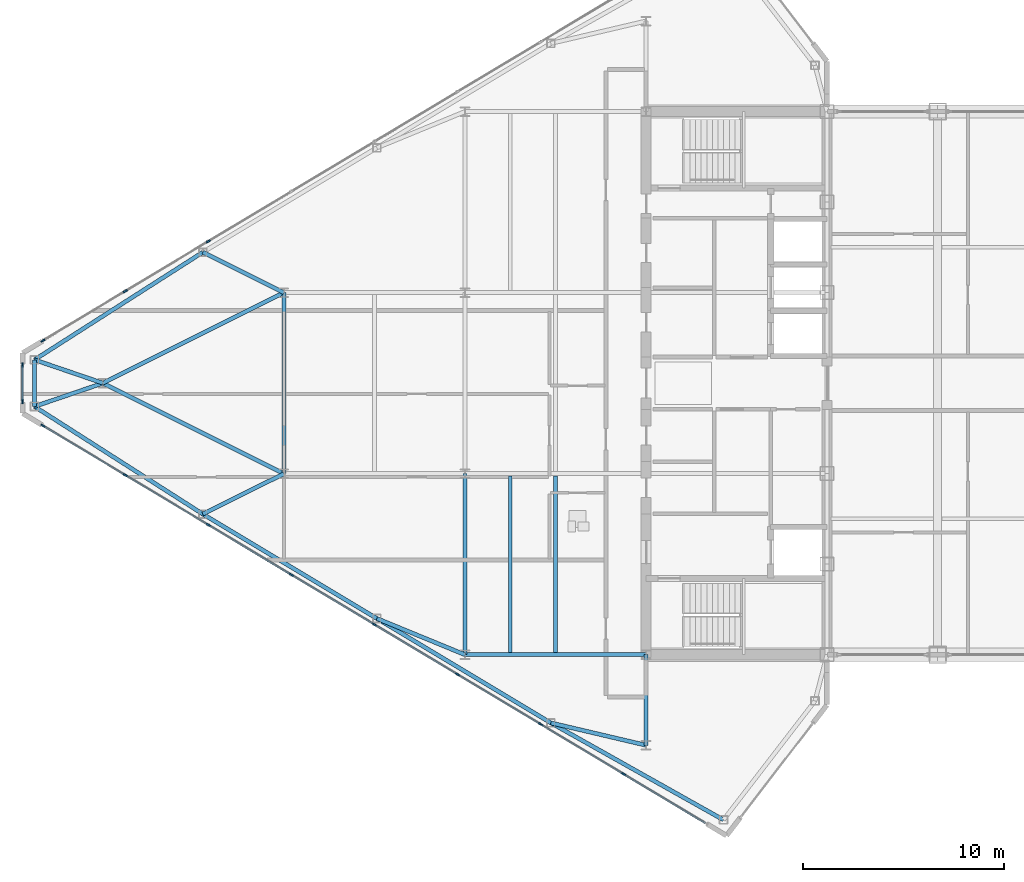
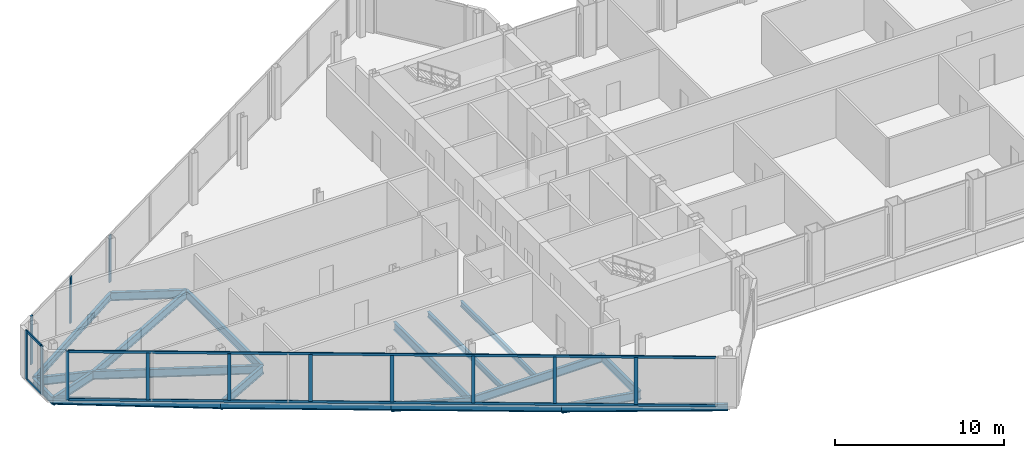
# One storey, part 8 of 29: 20 beams, 17 members, 3 elements without a shape of their own.
"""IFC4 building model written with IfcOpenShell, lengths in metres."""

from ifc_helpers import new_model, si_unit, direction, frame, origin, origin_2d, place, context, subcontext, project, spatial, rectangle, i_section, extrude, source, transform, mapped, material, layer, layer_set, material_profile, profile_set, type_object, type_shapes, element, aggregate, save


model = new_model("IFC4")

# Units and contexts
model_context = context("Model", 3, precision=1e-05, world=origin(), true_north=direction((0.0, 1.0)))
body_context = subcontext(model_context, "Body", "Model", "MODEL_VIEW")
ifc_project = project(units=[si_unit("LENGTHUNIT", "METRE"), si_unit("AREAUNIT", "SQUARE_METRE"), si_unit("VOLUMEUNIT", "CUBIC_METRE"), si_unit("PLANEANGLEUNIT", "RADIAN"), si_unit("MASSUNIT", "GRAM", prefix="KILO")], contexts=[model_context])

# Site, building, storey
site_placement = place(None, origin())
site = spatial("IfcSite", under=ifc_project, at=site_placement, CompositionType="ELEMENT")
building_placement = place(site_placement, origin())
building = spatial("IfcBuilding", under=site, at=building_placement, Name="Seokmaru Belvedere", CompositionType="ELEMENT")
storey_placement = place(building_placement, frame((0.0, 0.0, 239.39990234375)))
storey = spatial("IfcBuildingStorey", under=building, at=storey_placement, Name="L63", CompositionType="ELEMENT", Elevation=239.39990234375)

# Beams
ifc_material_1 = material(Name="Steel SM355 (355 MPa)", Category="steel")
ifc_material_profile_1 = material_profile(ifc_material_1, i_section(OverallWidth=0.199951171875, OverallDepth=0.60009765625, WebThickness=0.010986328125, FlangeThickness=0.01708984375, at=origin_2d()), Name="H-600x200x11x17")
ifc_profile_set_1 = profile_set([ifc_material_profile_1], Name="Steel SM355 (355 MPa)")
beam_type_1 = type_object("IfcBeamType", Name="Primary Floor Girder H-600", PredefinedType="BEAM", material=ifc_profile_set_1)
shared_shape_1 = source(origin(), body_context, "Body", "SweptSolid", [
    extrude(i_section(OverallWidth=0.199951171875, OverallDepth=0.60009765625, WebThickness=0.010986328125, FlangeThickness=0.01708984375, at=origin_2d()), origin(), (0.0, 0.0, 1.0), 9.0),
])
for number, where, z_axis, x_axis, name in (
    (1, (-45.5, -13.5, -0.52001953125), (0.0, 1.0, 0.0), (-1.0, 0.0, 0.0), "L63 W Interior Grid Girder 1"),
    (2, (-45.5, -13.5, -0.52001953125), (1.0, 0.0, 0.0), (0.0, 1.0, 0.0), "L63 W Wing Primary Girder 1"),
    (3, (-54.5, -4.5, -0.52001953125), (0.0, 1.0, 0.0), (-1.0, 0.0, 0.0), "L63 W Apex Frame Girder"),
):
    element("IfcBeam", number, at=place(storey_placement, frame(where, z_axis=z_axis, x_axis=x_axis)), inside=storey, type_object=beam_type_1, Name=name, PredefinedType="BEAM", context=body_context, shape_type="MappedRepresentation", body=[
        mapped(shared_shape_1, transform((0.0, 0.0, 0.0), scale=1.0)),
    ])
shared_shape_2 = source(origin(), body_context, "Body", "SweptSolid", [
    extrude(i_section(OverallWidth=0.199951171875, OverallDepth=0.60009765625, WebThickness=0.010986328125, FlangeThickness=0.01708984375, at=origin_2d()), origin(), (0.0, 0.0, 1.0), 10.062255859375),
])
for number, where, z_axis, x_axis, name in (
    (4, (-54.5, -4.5, -0.52001953125), (-0.894427191, 0.4472135955, 0.0), (-0.4472135955, -0.894427191, 0.0), "L63 W Apex Converging Girder 1"),
    (5, (-54.5, 4.5, -0.52001953125), (-0.894427191, -0.4472135955, 0.0), (0.4472135955, -0.894427191, 0.0), "L63 W Apex Converging Girder 2"),
):
    element("IfcBeam", number, at=place(storey_placement, frame(where, z_axis=z_axis, x_axis=x_axis)), inside=storey, type_object=beam_type_1, Name=name, PredefinedType="BEAM", context=body_context, shape_type="MappedRepresentation", body=[
        mapped(shared_shape_2, transform((0.0, 0.0, 0.0), scale=1.0)),
    ])
ifc_material_profile_2 = material_profile(ifc_material_1, i_section(OverallWidth=0.18505859375, OverallDepth=0.389892578125, WebThickness=0.008056640625, FlangeThickness=0.011962890625, at=origin_2d()), Name="H-390x185x8x12")
ifc_profile_set_2 = profile_set([ifc_material_profile_2], Name="Steel SM355 (355 MPa)")
beam_type_2 = type_object("IfcBeamType", Name="Secondary Floor Joist H-350", PredefinedType="JOIST", material=ifc_profile_set_2)
shared_shape_3 = source(origin(), body_context, "Body", "SweptSolid", [
    extrude(i_section(OverallWidth=0.18505859375, OverallDepth=0.389892578125, WebThickness=0.008056640625, FlangeThickness=0.011962890625, at=origin_2d()), origin(), (0.0, 0.0, 1.0), 8.7900390625),
])
type_shapes(beam_type_2, [shared_shape_3])
for number, where, z_axis, x_axis, name in (
    (6, (-43.25, -13.39501953125, -0.414794921875), (0.0, 1.0, 0.0), (-1.0, 0.0, 0.0), "L63 W Wing Inner Secondary Joist 1"),
    (7, (-41.0, -13.39501953125, -0.414794921875), (0.0, 1.0, 0.0), (-1.0, 0.0, 0.0), "L63 W Secondary Floor Joist 1"),
):
    element("IfcBeam", number, at=place(storey_placement, frame(where, z_axis=z_axis, x_axis=x_axis)), inside=storey, type_object=beam_type_2, Name=name, PredefinedType="JOIST", context=body_context, shape_type="MappedRepresentation", body=[
        mapped(shared_shape_3, transform((0.0, 0.0, 0.0), scale=1.0)),
    ])
shared_shape_4 = source(origin(), body_context, "Body", "SweptSolid", [
    extrude(i_section(OverallWidth=0.199951171875, OverallDepth=0.60009765625, WebThickness=0.010986328125, FlangeThickness=0.01708984375, at=origin_2d()), origin(), (0.0, 0.0, 1.0), 4.5),
])
beam_1_placement = place(storey_placement, frame((-36.5, -18.0, -0.52001953125), z_axis=(0.0, 1.0, 0.0), x_axis=(-1.0, 0.0, 0.0)))
element("IfcBeam", 8, at=beam_1_placement, inside=storey, type_object=beam_type_1, Name="L63 W Core Shoulder Girder S", PredefinedType="BEAM", context=body_context, shape_type="MappedRepresentation", body=[
    mapped(shared_shape_4, transform((0.0, 0.0, 0.0), scale=1.0)),
])
ifc_material_profile_3 = material_profile(ifc_material_1, i_section(OverallWidth=0.199951171875, OverallDepth=0.5, WebThickness=0.010009765625, FlangeThickness=0.01611328125, at=origin_2d()), Name="H-500x200x10x16")
ifc_profile_set_3 = profile_set([ifc_material_profile_3], Name="Steel SM355 (355 MPa)")
beam_type_3 = type_object("IfcBeamType", Name="Perimeter Spandrel Beam H-500", PredefinedType="SPANDREL", material=ifc_profile_set_3)
shared_shape_5 = source(origin(), body_context, "Body", "SweptSolid", [
    extrude(i_section(OverallWidth=0.199951171875, OverallDepth=0.5, WebThickness=0.010009765625, FlangeThickness=0.01611328125, at=origin_2d()), origin(), (0.0, 0.0, 1.0), 9.842041015625),
])
beam_2_placement = place(storey_placement, frame((-32.649658203125, -21.71044921875, -0.469970703125), z_axis=(-0.871782151818, 0.489893743349, 0.0), x_axis=(-0.489893743349, -0.871782151818, 0.0)))
element("IfcBeam", 9, at=beam_2_placement, inside=storey, type_object=beam_type_3, Name="L63 W Faceted Flank Spandrel S-1", PredefinedType="SPANDREL", context=body_context, shape_type="MappedRepresentation", body=[
    mapped(shared_shape_5, transform((0.0, 0.0, 0.0), scale=1.0)),
])
shared_shape_6 = source(origin(), body_context, "Body", "SweptSolid", [
    extrude(i_section(OverallWidth=0.199951171875, OverallDepth=0.5, WebThickness=0.010009765625, FlangeThickness=0.01611328125, at=origin_2d()), origin(), (0.0, 0.0, 1.0), 10.087646484375),
])
for number, where, z_axis, x_axis, name in (
    (10, (-41.229736328125, -16.888916015625, -0.469970703125), (-0.857499332045, 0.514485078056, 0.0), (-0.514485078056, -0.857499332045, 0.0), "L63 W Faceted Flank Spandrel S-2"),
    (11, (-49.8798828125, -11.698974609375, -0.469970703125), (-0.857488654804, 0.514502873542, 0.0), (-0.514502873542, -0.857488654804, 0.0), "L63 W Faceted Flank Spandrel S-3"),
):
    element("IfcBeam", number, at=place(storey_placement, frame(where, z_axis=z_axis, x_axis=x_axis)), inside=storey, type_object=beam_type_3, Name=name, PredefinedType="SPANDREL", context=body_context, shape_type="MappedRepresentation", body=[
        mapped(shared_shape_6, transform((0.0, 0.0, 0.0), scale=1.0)),
    ])
shared_shape_7 = source(origin(), body_context, "Body", "SweptSolid", [
    extrude(i_section(OverallWidth=0.199951171875, OverallDepth=0.5, WebThickness=0.010009765625, FlangeThickness=0.01611328125, at=origin_2d()), origin(), (0.0, 0.0, 1.0), 9.932861328125),
])
for number, where, z_axis, x_axis, name in (
    (12, (-58.530029296875, -6.5087890625, -0.469970703125), (-0.842651960357, 0.538458609093, 0.0), (-0.538458609093, -0.842651960357, 0.0), "L63 W Faceted Flank Spandrel S-4"),
    (13, (-58.530029296875, 6.5087890625, -0.469970703125), (-0.842651960357, -0.538458609093, 0.0), (0.538458609093, -0.842651960357, 0.0), "L63 W Faceted Flank Spandrel N-4"),
):
    element("IfcBeam", number, at=place(storey_placement, frame(where, z_axis=z_axis, x_axis=x_axis)), inside=storey, type_object=beam_type_3, Name=name, PredefinedType="SPANDREL", context=body_context, shape_type="MappedRepresentation", body=[
        mapped(shared_shape_7, transform((0.0, 0.0, 0.0), scale=1.0)),
    ])
shared_shape_8 = source(origin(), body_context, "Body", "SweptSolid", [
    extrude(i_section(OverallWidth=0.199951171875, OverallDepth=0.5, WebThickness=0.010009765625, FlangeThickness=0.01611328125, at=origin_2d()), origin(), (0.0, 0.0, 1.0), 2.32080078125),
])
type_shapes(beam_type_3, [shared_shape_5, shared_shape_6, shared_shape_7, shared_shape_8])
beam_3_placement = place(storey_placement, frame((-66.89990234375, -1.160400390625, -0.469970703125), z_axis=(0.0, 1.0, 0.0), x_axis=(-1.0, 0.0, 0.0)))
element("IfcBeam", 14, at=beam_3_placement, inside=storey, type_object=beam_type_3, Name="L63 W Faceted Apex Spandrel", PredefinedType="SPANDREL", context=body_context, shape_type="MappedRepresentation", body=[
    mapped(shared_shape_8, transform((0.0, 0.0, 0.0), scale=1.0)),
])
shared_shape_9 = source(origin(), body_context, "Body", "SweptSolid", [
    extrude(i_section(OverallWidth=0.199951171875, OverallDepth=0.60009765625, WebThickness=0.010986328125, FlangeThickness=0.01708984375, at=origin_2d()), origin(), (0.0, 0.0, 1.0), 4.8583984375),
])
beam_4_placement = place(storey_placement, frame((-41.229736328125, -16.888916015625, -0.52001953125), z_axis=(0.97349948295, -0.228689214211, 0.0), x_axis=(0.228689214211, 0.97349948295, 0.0)))
element("IfcBeam", 15, at=beam_4_placement, inside=storey, type_object=beam_type_1, Name="L63 W Flank Radial Floor Girder S-1", PredefinedType="BEAM", context=body_context, shape_type="MappedRepresentation", body=[
    mapped(shared_shape_9, transform((0.0, 0.0, 0.0), scale=1.0)),
])
shared_shape_10 = source(origin(), body_context, "Body", "SweptSolid", [
    extrude(i_section(OverallWidth=0.199951171875, OverallDepth=0.60009765625, WebThickness=0.010986328125, FlangeThickness=0.01708984375, at=origin_2d()), origin(), (0.0, 0.0, 1.0), 4.73583984375),
])
beam_5_placement = place(storey_placement, frame((-49.8798828125, -11.698974609375, -0.52001953125), z_axis=(0.924860562953, -0.380306375301, 0.0), x_axis=(0.380306375301, 0.924860562953, 0.0)))
element("IfcBeam", 16, at=beam_5_placement, inside=storey, type_object=beam_type_1, Name="L63 W Flank Radial Floor Girder S-2", PredefinedType="BEAM", context=body_context, shape_type="MappedRepresentation", body=[
    mapped(shared_shape_10, transform((0.0, 0.0, 0.0), scale=1.0)),
])
shared_shape_11 = source(origin(), body_context, "Body", "SweptSolid", [
    extrude(i_section(OverallWidth=0.199951171875, OverallDepth=0.60009765625, WebThickness=0.010986328125, FlangeThickness=0.01708984375, at=origin_2d()), origin(), (0.0, 0.0, 1.0), 4.5029296875),
])
for number, where, z_axis, x_axis, name in (
    (17, (-58.530029296875, -6.5087890625, -0.52001953125), (0.894979532585, 0.446107202648, 0.0), (-0.446107202648, 0.894979532585, 0.0), "L63 W Flank Radial Floor Girder S-3"),
    (18, (-58.530029296875, 6.5087890625, -0.52001953125), (0.894979532585, -0.446107202648, 0.0), (0.446107202648, 0.894979532585, 0.0), "L63 W Flank Radial Floor Girder N-3"),
):
    element("IfcBeam", number, at=place(storey_placement, frame(where, z_axis=z_axis, x_axis=x_axis)), inside=storey, type_object=beam_type_1, Name=name, PredefinedType="BEAM", context=body_context, shape_type="MappedRepresentation", body=[
        mapped(shared_shape_11, transform((0.0, 0.0, 0.0), scale=1.0)),
    ])
shared_shape_12 = source(origin(), body_context, "Body", "SweptSolid", [
    extrude(i_section(OverallWidth=0.199951171875, OverallDepth=0.60009765625, WebThickness=0.010986328125, FlangeThickness=0.01708984375, at=origin_2d()), origin(), (0.0, 0.0, 1.0), 3.592529296875),
])
type_shapes(beam_type_1, [shared_shape_1, shared_shape_2, shared_shape_4, shared_shape_9, shared_shape_10, shared_shape_11, shared_shape_12])
for number, where, z_axis, x_axis, name in (
    (19, (-66.89990234375, -1.160400390625, -0.52001953125), (0.946395973048, 0.323008764893, 0.0), (-0.323008764893, 0.946395973048, 0.0), "L63 W Apex Radial Floor Girder 1"),
    (20, (-66.89990234375, 1.160400390625, -0.52001953125), (0.946395973048, -0.323008764893, 0.0), (0.323008764893, 0.946395973048, 0.0), "L63 W Apex Radial Floor Girder 2"),
):
    element("IfcBeam", number, at=place(storey_placement, frame(where, z_axis=z_axis, x_axis=x_axis)), inside=storey, type_object=beam_type_1, Name=name, PredefinedType="BEAM", context=body_context, shape_type="MappedRepresentation", body=[
        mapped(shared_shape_12, transform((0.0, 0.0, 0.0), scale=1.0)),
    ])

# Curtain wall, members
ifc_material_2 = material(Name="Bronze Triple Insulating Glass", Category="glass")
ifc_layer = layer(ifc_material_2, 0.219970703125)
ifc_layer_set = layer_set([ifc_layer], Name="Bronze Triple Insulating Glass")
curtain_wall_type = type_object("IfcCurtainWallType", Name="Sky-Gate Bridge Panorama Curtain Wall System CW-6", PredefinedType="NOTDEFINED", material=ifc_layer_set)
curtain_wall_1_placement = place(storey_placement, origin())
curtain_wall_1 = element("IfcCurtainWall", 21, at=curtain_wall_1_placement, inside=storey, type_object=curtain_wall_type, Name="L63 Curtain Wall WF5", PredefinedType="NOTDEFINED")
ifc_material_3 = material(Name="Anodised Bronze Aluminium", Category="aluminium")
ifc_material_profile_4 = material_profile(ifc_material_3, rectangle(XDim=0.074951171875, YDim=0.179931640625, at=origin_2d()), Name="CW-T-75x180")
ifc_profile_set_4 = profile_set([ifc_material_profile_4], Name="Anodised Bronze Aluminium")
member_type_1 = type_object("IfcMemberType", Name="Bronze Unitised Transom 75x180", PredefinedType="USERDEFINED", material=ifc_profile_set_4)
shared_shape_13 = source(origin(), body_context, "Body", "SweptSolid", [
    extrude(rectangle(XDim=0.074951171875, YDim=0.179931640625, at=origin_2d()), origin(), (0.0, 0.0, 1.0), 38.356689453125),
])
member_1_placement = place(storey_placement, frame((-66.4453125, -2.1328125, 0.03759765625), z_axis=(0.857492925713, -0.514495755428, 0.0), x_axis=(0.514495755428, 0.857492925713, 0.0)))
member_1 = element("IfcMember", 22, at=member_1_placement, type_object=member_type_1, Name="CW:L63:WF5 Continuous Transom 1", ObjectType="TRANSOM", PredefinedType="USERDEFINED", context=body_context, shape_type="MappedRepresentation", body=[
    mapped(shared_shape_13, transform((0.0, 0.0, 0.0), scale=1.0)),
])
member_2_placement = place(storey_placement, frame((-66.4453125, -2.1328125, 3.49267578125), z_axis=(0.857492925713, -0.514495755428, 0.0), x_axis=(0.514495755428, 0.857492925713, 0.0)))
member_2 = element("IfcMember", 23, at=member_2_placement, type_object=member_type_1, Name="CW:L63:WF5 Continuous Transom 2", ObjectType="TRANSOM", PredefinedType="USERDEFINED", context=body_context, shape_type="MappedRepresentation", body=[
    mapped(shared_shape_13, transform((0.0, 0.0, 0.0), scale=1.0)),
])

curtain_wall_2_placement = place(storey_placement, origin())
curtain_wall_2 = element("IfcCurtainWall", 24, at=curtain_wall_2_placement, inside=storey, type_object=curtain_wall_type, Name="L63 Curtain Wall WF4", PredefinedType="NOTDEFINED")
shared_shape_14 = source(origin(), body_context, "Body", "SweptSolid", [
    extrude(rectangle(XDim=0.074951171875, YDim=0.179931640625, at=origin_2d()), origin(), (0.0, 0.0, 1.0), 1.740234375),
])
type_shapes(member_type_1, [shared_shape_13, shared_shape_14])
member_3_placement = place(storey_placement, frame((-67.5, 0.8701171875, 0.03759765625), z_axis=(0.0, -1.0, 0.0), x_axis=(1.0, 0.0, 0.0)))
member_3 = element("IfcMember", 25, at=member_3_placement, type_object=member_type_1, Name="CW:L63:WF4 Continuous Transom 1", ObjectType="TRANSOM", PredefinedType="USERDEFINED", context=body_context, shape_type="MappedRepresentation", body=[
    mapped(shared_shape_14, transform((0.0, 0.0, 0.0), scale=1.0)),
])
member_4_placement = place(storey_placement, frame((-67.5, 0.8701171875, 3.49267578125), z_axis=(0.0, -1.0, 0.0), x_axis=(1.0, 0.0, 0.0)))
member_4 = element("IfcMember", 26, at=member_4_placement, type_object=member_type_1, Name="CW:L63:WF4 Continuous Transom 2", ObjectType="TRANSOM", PredefinedType="USERDEFINED", context=body_context, shape_type="MappedRepresentation", body=[
    mapped(shared_shape_14, transform((0.0, 0.0, 0.0), scale=1.0)),
])

# Curtain wall, member
curtain_wall_3_placement = place(storey_placement, origin())
curtain_wall_3 = element("IfcCurtainWall", 27, at=curtain_wall_3_placement, inside=storey, type_object=curtain_wall_type, Name="L63 Curtain Wall WF3", PredefinedType="NOTDEFINED")
ifc_material_profile_5 = material_profile(ifc_material_3, rectangle(XDim=0.080078125, YDim=0.219970703125, at=origin_2d()), Name="CW-M-80x220")
ifc_profile_set_5 = profile_set([ifc_material_profile_5], Name="Anodised Bronze Aluminium")
member_type_2 = type_object("IfcMemberType", Name="Bronze Unitised Mullion 80x220", PredefinedType="MULLION", material=ifc_profile_set_5)
shared_shape_15 = source(origin(), body_context, "Body", "SweptSolid", [
    extrude(rectangle(XDim=0.080078125, YDim=0.219970703125, at=origin_2d()), origin(), (0.0, 0.0, 1.0), 3.530029296875),
])
member_5_placement = place(storey_placement, frame((-66.4794921875, 2.1123046875, 0.0), z_axis=(0.0, 0.0, 1.0), x_axis=(0.514494909364, -0.85749343335, 0.0)))
member_5 = element("IfcMember", 28, at=member_5_placement, type_object=member_type_2, Name="CW:L63:WF3 Mullion 9", PredefinedType="MULLION", context=body_context, shape_type="MappedRepresentation", body=[
    mapped(shared_shape_15, transform((0.0, 0.0, 0.0), scale=1.0)),
])

# Member
member_6_placement = place(storey_placement, frame((-67.5, 0.909912109375, 0.0), z_axis=(0.0, 0.0, 1.0), x_axis=(1.0, 0.0, 0.0)))
member_6 = element("IfcMember", 29, at=member_6_placement, type_object=member_type_2, Name="CW:L63:WF4 Mullion 1", PredefinedType="MULLION", context=body_context, shape_type="MappedRepresentation", body=[
    mapped(shared_shape_15, transform((0.0, 0.0, 0.0), scale=1.0)),
])

member_7_placement = place(storey_placement, frame((-67.5, -0.909912109375, 0.0), z_axis=(0.0, 0.0, 1.0), x_axis=(1.0, 0.0, 0.0)))
member_7 = element("IfcMember", 30, at=member_7_placement, type_object=member_type_2, Name="CW:L63:WF4 Mullion 2", PredefinedType="MULLION", context=body_context, shape_type="MappedRepresentation", body=[
    mapped(shared_shape_15, transform((0.0, 0.0, 0.0), scale=1.0)),
])

aggregate(curtain_wall_2, [member_6, member_7, member_3, member_4])

member_8_placement = place(storey_placement, frame((-66.4794921875, -2.1123046875, 0.0), z_axis=(0.0, 0.0, 1.0), x_axis=(0.514494909364, 0.85749343335, 0.0)))
member_8 = element("IfcMember", 31, at=member_8_placement, type_object=member_type_2, Name="CW:L63:WF5 Mullion 1", PredefinedType="MULLION", context=body_context, shape_type="MappedRepresentation", body=[
    mapped(shared_shape_15, transform((0.0, 0.0, 0.0), scale=1.0)),
])

shared_shape_16 = source(origin(), body_context, "Body", "SweptSolid", [
    extrude(rectangle(XDim=0.080078125, YDim=0.219970703125, at=origin_2d()), origin(), (0.0, 0.0, 1.0), 3.3798828125),
])
type_shapes(member_type_2, [shared_shape_15, shared_shape_16])
member_9_placement = place(storey_placement, frame((-58.257080078125, 7.0458984375, 0.0751953125), z_axis=(0.0, 0.0, 1.0), x_axis=(0.514494909364, -0.85749343335, 0.0)))
member_9 = element("IfcMember", 32, at=member_9_placement, type_object=member_type_2, Name="CW:L63:WF3 Mullion 7", PredefinedType="MULLION", context=body_context, shape_type="MappedRepresentation", body=[
    mapped(shared_shape_16, transform((0.0, 0.0, 0.0), scale=1.0)),
])

member_10_placement = place(storey_placement, frame((-62.385498046875, 4.56884765625, 0.0751953125), z_axis=(0.0, 0.0, 1.0), x_axis=(0.514494909364, -0.85749343335, 0.0)))
member_10 = element("IfcMember", 33, at=member_10_placement, type_object=member_type_2, Name="CW:L63:WF3 Mullion 8", PredefinedType="MULLION", context=body_context, shape_type="MappedRepresentation", body=[
    mapped(shared_shape_16, transform((0.0, 0.0, 0.0), scale=1.0)),
])

aggregate(curtain_wall_3, [member_9, member_10, member_5])

member_11_placement = place(storey_placement, frame((-62.385498046875, -4.56884765625, 0.0751953125), z_axis=(0.0, 0.0, 1.0), x_axis=(0.514494909364, 0.85749343335, 0.0)))
member_11 = element("IfcMember", 34, at=member_11_placement, type_object=member_type_2, Name="CW:L63:WF5 Mullion 2", PredefinedType="MULLION", context=body_context, shape_type="MappedRepresentation", body=[
    mapped(shared_shape_16, transform((0.0, 0.0, 0.0), scale=1.0)),
])

member_12_placement = place(storey_placement, frame((-58.257080078125, -7.0458984375, 0.0751953125), z_axis=(0.0, 0.0, 1.0), x_axis=(0.514494909364, 0.85749343335, 0.0)))
member_12 = element("IfcMember", 35, at=member_12_placement, type_object=member_type_2, Name="CW:L63:WF5 Mullion 3", PredefinedType="MULLION", context=body_context, shape_type="MappedRepresentation", body=[
    mapped(shared_shape_16, transform((0.0, 0.0, 0.0), scale=1.0)),
])

member_13_placement = place(storey_placement, frame((-54.12841796875, -9.52294921875, 0.0751953125), z_axis=(0.0, 0.0, 1.0), x_axis=(0.514494909364, 0.85749343335, 0.0)))
member_13 = element("IfcMember", 36, at=member_13_placement, type_object=member_type_2, Name="CW:L63:WF5 Mullion 4", PredefinedType="MULLION", context=body_context, shape_type="MappedRepresentation", body=[
    mapped(shared_shape_16, transform((0.0, 0.0, 0.0), scale=1.0)),
])

member_14_placement = place(storey_placement, frame((-50.0, -12.0, 0.0751953125), z_axis=(0.0, 0.0, 1.0), x_axis=(0.514494909364, 0.85749343335, 0.0)))
member_14 = element("IfcMember", 37, at=member_14_placement, type_object=member_type_2, Name="CW:L63:WF5 Mullion 5", PredefinedType="MULLION", context=body_context, shape_type="MappedRepresentation", body=[
    mapped(shared_shape_16, transform((0.0, 0.0, 0.0), scale=1.0)),
])

member_15_placement = place(storey_placement, frame((-45.87158203125, -14.47705078125, 0.0751953125), z_axis=(0.0, 0.0, 1.0), x_axis=(0.514494909364, 0.85749343335, 0.0)))
member_15 = element("IfcMember", 38, at=member_15_placement, type_object=member_type_2, Name="CW:L63:WF5 Mullion 6", PredefinedType="MULLION", context=body_context, shape_type="MappedRepresentation", body=[
    mapped(shared_shape_16, transform((0.0, 0.0, 0.0), scale=1.0)),
])

member_16_placement = place(storey_placement, frame((-41.742919921875, -16.9541015625, 0.0751953125), z_axis=(0.0, 0.0, 1.0), x_axis=(0.514494909364, 0.85749343335, 0.0)))
member_16 = element("IfcMember", 39, at=member_16_placement, type_object=member_type_2, Name="CW:L63:WF5 Mullion 7", PredefinedType="MULLION", context=body_context, shape_type="MappedRepresentation", body=[
    mapped(shared_shape_16, transform((0.0, 0.0, 0.0), scale=1.0)),
])

member_17_placement = place(storey_placement, frame((-37.614501953125, -19.43115234375, 0.0751953125), z_axis=(0.0, 0.0, 1.0), x_axis=(0.514494909364, 0.85749343335, 0.0)))
member_17 = element("IfcMember", 40, at=member_17_placement, type_object=member_type_2, Name="CW:L63:WF5 Mullion 8", PredefinedType="MULLION", context=body_context, shape_type="MappedRepresentation", body=[
    mapped(shared_shape_16, transform((0.0, 0.0, 0.0), scale=1.0)),
])

aggregate(curtain_wall_1, [member_8, member_11, member_12, member_13, member_14, member_15, member_16, member_17, member_1, member_2])

save(model, "model.ifc")
